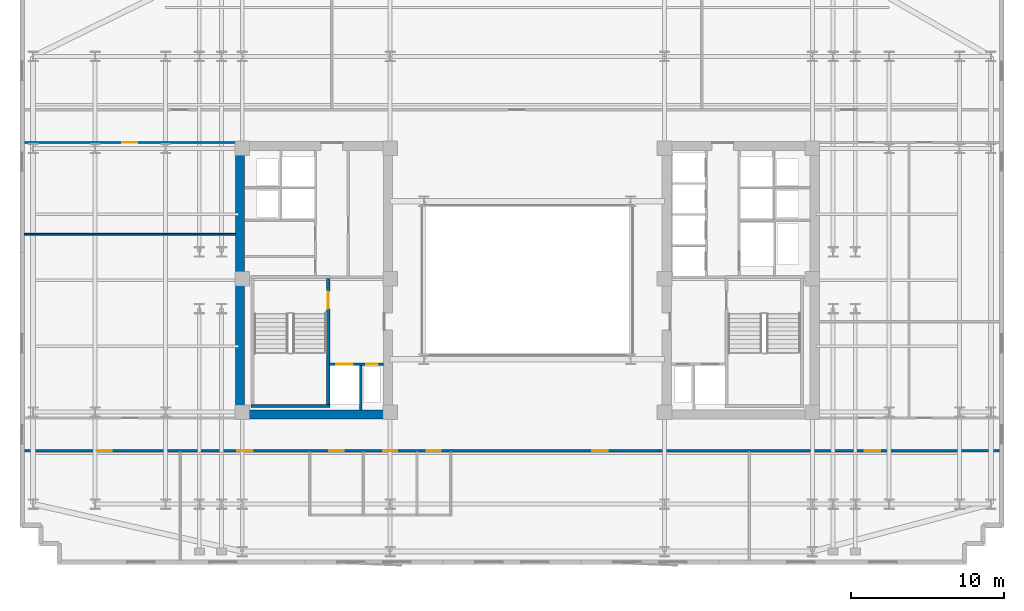
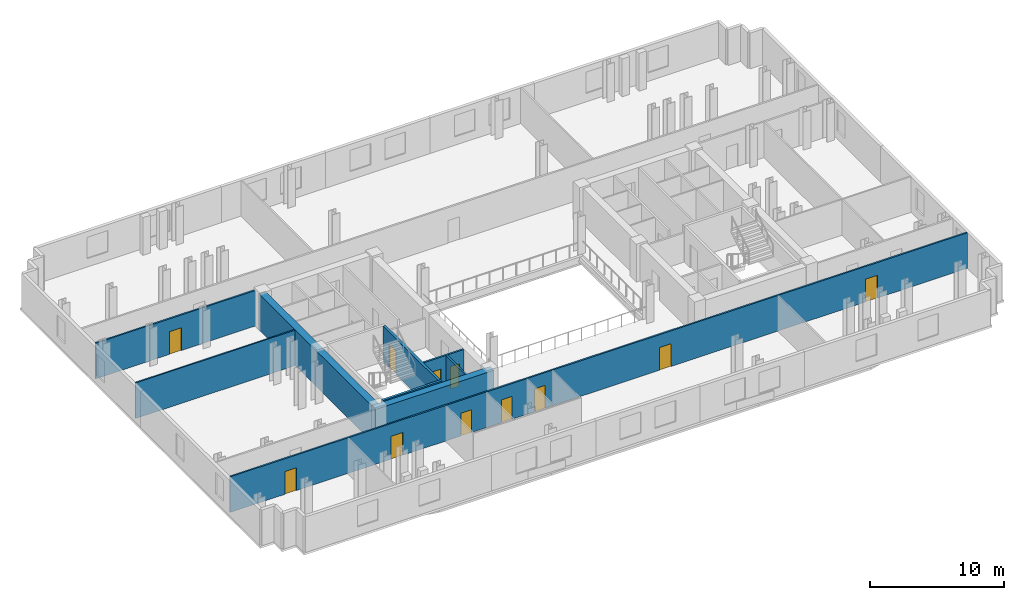
# One storey, part 4 of 10: 11 doors, 9 walls, 11 openings.
"""IFC4 building model written with IfcOpenShell, lengths in metres."""

from ifc_helpers import new_model, si_unit, direction, frame, frame_2d, origin, place, context, subcontext, project, spatial, rectangle, extrude, material, layer, layer_set, type_object, element, fill, save


model = new_model("IFC4")

# Units and contexts
model_context = context("Model", 3, precision=1e-05, world=origin(), true_north=direction((0.0, 1.0)))
body_context = subcontext(model_context, "Body", "Model", "MODEL_VIEW")
ifc_project = project(units=[si_unit("LENGTHUNIT", "METRE"), si_unit("AREAUNIT", "SQUARE_METRE"), si_unit("VOLUMEUNIT", "CUBIC_METRE"), si_unit("PLANEANGLEUNIT", "RADIAN"), si_unit("MASSUNIT", "GRAM", prefix="KILO")], contexts=[model_context])

# Site, building, storey
site_placement = place(None, origin())
site = spatial("IfcSite", under=ifc_project, at=site_placement, CompositionType="ELEMENT")
building_placement = place(site_placement, origin())
building = spatial("IfcBuilding", under=site, at=building_placement, Name="Velakula Bourse", CompositionType="ELEMENT")
storey_placement = place(building_placement, frame((0.0, 0.0, 127.75)))
storey = spatial("IfcBuildingStorey", under=building, at=storey_placement, Name="L34", CompositionType="ELEMENT", Elevation=127.75)

# Wall, opening, door
ifc_material_1 = material(Name="Concrete M50 (fck 50 MPa)", Category="concrete")
ifc_layer_1 = layer(ifc_material_1, 0.2099609375, Name="Concrete M50 (fck 50 MPa)", Category="concrete")
ifc_layer_set_1 = layer_set([ifc_layer_1], Name="Concrete M50 (fck 50 MPa)")
wall_type_1 = type_object("IfcWallType", Name="WL-CORE-210", PredefinedType="SHEAR", material=ifc_layer_set_1)
wall_1_placement = place(storey_placement, frame((-12.9951171875, -8.10009765625, 0.0), z_axis=(0.0, 0.0, 1.0), x_axis=(0.0, 1.0, 0.0)))
wall_1 = element("IfcWall", 1, at=wall_1_placement, inside=storey, type_object=wall_type_1, Name="L34 Core W Stairwell Shear Wall IN", PredefinedType="SHEAR", context=body_context, shape_type="SweptSolid", body=[
    extrude(rectangle(XDim=8.2001953125, YDim=0.2099609375, at=frame_2d((4.10009765625, 0.0))), origin(), (0.0, 0.0, 1.0), 3.27001953125),
])
opening_1_placement = place(wall_1_placement, frame((6.25, 0.0, 0.0)))
opening_1 = element("IfcOpeningElement", 2, at=opening_1_placement, cuts=wall_1, Name="Opening D-STW1", PredefinedType="OPENING", context=body_context, shape_type="SweptSolid", body=[
    extrude(rectangle(XDim=1.10009765625, YDim=2.14990234375, at=frame_2d((0.550048828125, 1.074951171875))), frame((0.0, 0.114990234375, 0.0), z_axis=(0.0, -1.0, 0.0), x_axis=(1.0, 0.0, 0.0)), (0.0, 0.0, 1.0), 0.22998046875),
])
ifc_material_2 = material(Name="Galvanised painted hollow steel fire door", Category="steel")
door_type_1 = type_object("IfcDoorType", Name="DR-FD120-1100x2150", OperationType="NOTDEFINED", PredefinedType="DOOR", material=ifc_material_2)
door_1_placement = place(opening_1_placement, origin())
door_1 = element("IfcDoor", 3, at=door_1_placement, inside=storey, type_object=door_type_1, Name="L34 Stair ST-W1 Fire Door", OperationType="SINGLE_SWING_LEFT", OverallHeight=2.14990234375, OverallWidth=1.10009765625, PredefinedType="DOOR", context=body_context, shape_type="SweptSolid", body=[
    extrude(rectangle(XDim=1.10009765625, YDim=2.14990234375, at=frame_2d((0.550048828125, 1.074951171875))), frame((0.0, 0.02490234375, 0.0), z_axis=(0.0, -1.0, 0.0), x_axis=(1.0, 0.0, 0.0)), (0.0, 0.0, 1.0), 0.050048828125),
])
fill(opening_1, door_1)

# Walls
wall_2_placement = place(storey_placement, frame((-18.030029296875, -8.205078125, 0.0), z_axis=(0.0, 0.0, 1.0), x_axis=(1.0, 0.0, 0.0)))
element("IfcWall", 4, at=wall_2_placement, inside=storey, type_object=wall_type_1, Name="L34 Core W Stairwell Shear Wall S", PredefinedType="SHEAR", context=body_context, shape_type="SweptSolid", body=[
    extrude(rectangle(XDim=5.14013671875, YDim=0.2099609375, at=frame_2d((2.570068359375, 0.0))), origin(), (0.0, 0.0, 1.0), 3.27001953125),
])
ifc_material_3 = material(Name="Concrete M70 (fck 70 MPa)", Category="concrete")
ifc_layer_2 = layer(ifc_material_3, 0.60009765625, Name="Concrete M70 (fck 70 MPa)", Category="concrete")
ifc_layer_set_2 = layer_set([ifc_layer_2], Name="Concrete M70 (fck 70 MPa)")
wall_type_2 = type_object("IfcWallType", Name="WL-CORE-600", PredefinedType="SHEAR", material=ifc_layer_set_2)
wall_3_placement = place(storey_placement, frame((-19.050048828125, -8.75, 0.0), z_axis=(0.0, 0.0, 1.0), x_axis=(1.0, 0.0, 0.0)))
element("IfcWall", 5, at=wall_3_placement, inside=storey, type_object=wall_type_2, Name="L34 Core W Shear Wall S", PredefinedType="SHEAR", context=body_context, shape_type="SweptSolid", body=[
    extrude(rectangle(XDim=10.25, YDim=0.60009765625, at=frame_2d((5.125, 0.0))), origin(), (0.0, 0.0, 1.0), 3.27001953125),
])
wall_4_placement = place(storey_placement, frame((-18.75, -8.449951171875, 0.0), z_axis=(0.0, 0.0, 1.0), x_axis=(0.0, 1.0, 0.0)))
element("IfcWall", 6, at=wall_4_placement, inside=storey, type_object=wall_type_2, Name="L34 Core W Shear Wall W", PredefinedType="SHEAR", context=body_context, shape_type="SweptSolid", body=[
    extrude(rectangle(XDim=16.89990234375, YDim=0.60009765625, at=frame_2d((8.449951171875, 0.0))), origin(), (0.0, 0.0, 1.0), 3.27001953125),
])
ifc_material_4 = material(Name="Fire-rated double-layer gypsum drywall partition", Category="gypsum")
ifc_layer_3 = layer(ifc_material_4, 0.1201171875, Name="Fire-rated double-layer gypsum drywall partition", Category="gypsum")
ifc_layer_set_3 = layer_set([ifc_layer_3], Name="Fire-rated double-layer gypsum drywall partition")
wall_type_3 = type_object("IfcWallType", Name="WL-PART-120", PredefinedType="STANDARD", material=ifc_layer_set_3)
wall_5_placement = place(storey_placement, frame((-32.820068359375, 3.0, 0.0), z_axis=(0.0, 0.0, 1.0), x_axis=(1.0, 0.0, 0.0)))
element("IfcWall", 7, at=wall_5_placement, inside=storey, type_object=wall_type_3, Name="L34 Interior Partition WL-INT-L34-W-H", PredefinedType="STANDARD", context=body_context, shape_type="SweptSolid", body=[
    extrude(rectangle(XDim=13.77001953125, YDim=0.1201171875, at=frame_2d((6.885009765625, 0.0))), origin(), (0.0, 0.0, 1.0), 3.25),
])

# Wall, openings, doors
ifc_layer_4 = layer(ifc_material_4, 0.139892578125, Name="Fire-rated double-layer gypsum drywall partition", Category="gypsum")
ifc_layer_set_4 = layer_set([ifc_layer_4], Name="Fire-rated double-layer gypsum drywall partition")
wall_type_4 = type_object("IfcWallType", Name="WL-PART-140", PredefinedType="STANDARD", material=ifc_layer_set_4)
wall_6_placement = place(storey_placement, frame((-32.820068359375, -11.1201171875, 0.0), z_axis=(0.0, 0.0, 1.0), x_axis=(1.0, 0.0, 0.0)))
wall_6 = element("IfcWall", 8, at=wall_6_placement, inside=storey, type_object=wall_type_4, Name="L34 Interior Partition WL-INT-L34-S-CORR", PredefinedType="STANDARD", context=body_context, shape_type="SweptSolid", body=[
    extrude(rectangle(XDim=63.64013671875, YDim=0.139892578125, at=frame_2d((31.820068359375, 0.0))), origin(), (0.0, 0.0, 1.0), 3.25),
])
opening_2_placement = place(wall_6_placement, frame((19.909912109375, 0.0, 0.0)))
opening_2 = element("IfcOpeningElement", 9, at=opening_2_placement, cuts=wall_6, Name="Opening D-WT1", PredefinedType="OPENING", context=body_context, shape_type="SweptSolid", body=[
    extrude(rectangle(XDim=0.919921875, YDim=2.080078125, at=frame_2d((0.4599609375, 1.0400390625))), frame((0.0, 0.079833984375, 0.0), z_axis=(0.0, -1.0, 0.0), x_axis=(1.0, 0.0, 0.0)), (0.0, 0.0, 1.0), 0.159912109375),
])
opening_3_placement = place(wall_6_placement, frame((23.409912109375, 0.0, 0.0)))
opening_3 = element("IfcOpeningElement", 10, at=opening_3_placement, cuts=wall_6, Name="Opening D-WT1", PredefinedType="OPENING", context=body_context, shape_type="SweptSolid", body=[
    extrude(rectangle(XDim=0.919921875, YDim=2.080078125, at=frame_2d((0.4599609375, 1.0400390625))), frame((0.0, 0.079833984375, 0.0), z_axis=(0.0, -1.0, 0.0), x_axis=(1.0, 0.0, 0.0)), (0.0, 0.0, 1.0), 0.159912109375),
])
opening_4_placement = place(wall_6_placement, frame((26.260009765625, 0.0, 0.0)))
opening_4 = element("IfcOpeningElement", 11, at=opening_4_placement, cuts=wall_6, Name="Opening D-WC1", PredefinedType="OPENING", context=body_context, shape_type="SweptSolid", body=[
    extrude(rectangle(XDim=0.919921875, YDim=2.080078125, at=frame_2d((0.4599609375, 1.0400390625))), frame((0.0, 0.079833984375, 0.0), z_axis=(0.0, -1.0, 0.0), x_axis=(1.0, 0.0, 0.0)), (0.0, 0.0, 1.0), 0.159912109375),
])
opening_5_placement = place(wall_6_placement, frame((4.71337890625, 0.0, 0.0)))
opening_5 = element("IfcOpeningElement", 12, at=opening_5_placement, cuts=wall_6, Name="Opening D-OF1", PredefinedType="OPENING", context=body_context, shape_type="SweptSolid", body=[
    extrude(rectangle(XDim=1.0, YDim=2.080078125, at=frame_2d((0.5, 1.0400390625))), frame((0.0, 0.079833984375, 0.0), z_axis=(0.0, -1.0, 0.0), x_axis=(1.0, 0.0, 0.0)), (0.0, 0.0, 1.0), 0.159912109375),
])
opening_6_placement = place(wall_6_placement, frame((13.8974609375, 0.0, 0.0)))
opening_6 = element("IfcOpeningElement", 13, at=opening_6_placement, cuts=wall_6, Name="Opening D-OF1", PredefinedType="OPENING", context=body_context, shape_type="SweptSolid", body=[
    extrude(rectangle(XDim=1.0, YDim=2.080078125, at=frame_2d((0.5, 1.0400390625))), frame((0.0, 0.079833984375, 0.0), z_axis=(0.0, -1.0, 0.0), x_axis=(1.0, 0.0, 0.0)), (0.0, 0.0, 1.0), 0.159912109375),
])
opening_7_placement = place(wall_6_placement, frame((37.064453125, 0.0, 0.0)))
opening_7 = element("IfcOpeningElement", 14, at=opening_7_placement, cuts=wall_6, Name="Opening D-OF1", PredefinedType="OPENING", context=body_context, shape_type="SweptSolid", body=[
    extrude(rectangle(XDim=1.0, YDim=2.080078125, at=frame_2d((0.5, 1.0400390625))), frame((0.0, 0.079833984375, 0.0), z_axis=(0.0, -1.0, 0.0), x_axis=(1.0, 0.0, 0.0)), (0.0, 0.0, 1.0), 0.159912109375),
])
opening_8_placement = place(wall_6_placement, frame((54.848388671875, 0.0, 0.0)))
opening_8 = element("IfcOpeningElement", 15, at=opening_8_placement, cuts=wall_6, Name="Opening D-OF1", PredefinedType="OPENING", context=body_context, shape_type="SweptSolid", body=[
    extrude(rectangle(XDim=1.0, YDim=2.080078125, at=frame_2d((0.5, 1.0400390625))), frame((0.0, 0.079833984375, 0.0), z_axis=(0.0, -1.0, 0.0), x_axis=(1.0, 0.0, 0.0)), (0.0, 0.0, 1.0), 0.159912109375),
])
ifc_material_5 = material(Name="Fire-rated hardwood flush architectural door", Category="wood")
door_type_2 = type_object("IfcDoorType", Name="DR-OFF-1000", OperationType="NOTDEFINED", PredefinedType="DOOR", material=ifc_material_5)
door_2_placement = place(opening_5_placement, origin())
door_2 = element("IfcDoor", 16, at=door_2_placement, inside=storey, type_object=door_type_2, Name="L34 Quiet Financial Library Door", OperationType="SINGLE_SWING_LEFT", OverallHeight=2.080078125, OverallWidth=1.0, PredefinedType="DOOR", context=body_context, shape_type="SweptSolid", body=[
    extrude(rectangle(XDim=1.0, YDim=2.080078125, at=frame_2d((0.5, 1.0400390625))), frame((0.0, 0.02490234375, 0.0), z_axis=(0.0, -1.0, 0.0), x_axis=(1.0, 0.0, 0.0)), (0.0, 0.0, 1.0), 0.050048828125),
])
fill(opening_5, door_2)
door_3_placement = place(opening_6_placement, origin())
door_3 = element("IfcDoor", 17, at=door_3_placement, inside=storey, type_object=door_type_2, Name="L34 Margin Control Office Door", OperationType="SINGLE_SWING_RIGHT", OverallHeight=2.080078125, OverallWidth=1.0, PredefinedType="DOOR", context=body_context, shape_type="SweptSolid", body=[
    extrude(rectangle(XDim=1.0, YDim=2.080078125, at=frame_2d((0.5, 1.0400390625))), frame((0.0, 0.02490234375, 0.0), z_axis=(0.0, -1.0, 0.0), x_axis=(1.0, 0.0, 0.0)), (0.0, 0.0, 1.0), 0.050048828125),
])
fill(opening_6, door_3)
door_4_placement = place(opening_7_placement, origin())
door_4 = element("IfcDoor", 18, at=door_4_placement, inside=storey, type_object=door_type_2, Name="L34 Peer Review Boardroom Door", OperationType="SINGLE_SWING_LEFT", OverallHeight=2.080078125, OverallWidth=1.0, PredefinedType="DOOR", context=body_context, shape_type="SweptSolid", body=[
    extrude(rectangle(XDim=1.0, YDim=2.080078125, at=frame_2d((0.5, 1.0400390625))), frame((0.0, 0.02490234375, 0.0), z_axis=(0.0, -1.0, 0.0), x_axis=(1.0, 0.0, 0.0)), (0.0, 0.0, 1.0), 0.050048828125),
])
fill(opening_7, door_4)
door_5_placement = place(opening_8_placement, origin())
door_5 = element("IfcDoor", 19, at=door_5_placement, inside=storey, type_object=door_type_2, Name="L34 Catering Servery Pantry Door", OperationType="SINGLE_SWING_RIGHT", OverallHeight=2.080078125, OverallWidth=1.0, PredefinedType="DOOR", context=body_context, shape_type="SweptSolid", body=[
    extrude(rectangle(XDim=1.0, YDim=2.080078125, at=frame_2d((0.5, 1.0400390625))), frame((0.0, 0.02490234375, 0.0), z_axis=(0.0, -1.0, 0.0), x_axis=(1.0, 0.0, 0.0)), (0.0, 0.0, 1.0), 0.050048828125),
])
fill(opening_8, door_5)
door_type_3 = type_object("IfcDoorType", Name="DR-WC-950", OperationType="NOTDEFINED", PredefinedType="DOOR", material=ifc_material_5)
door_6_placement = place(opening_2_placement, origin())
door_6 = element("IfcDoor", 20, at=door_6_placement, inside=storey, type_object=door_type_3, Name="L34 Male Staff Toilet Door", OperationType="SINGLE_SWING_RIGHT", OverallHeight=2.080078125, OverallWidth=0.919921875, PredefinedType="DOOR", context=body_context, shape_type="SweptSolid", body=[
    extrude(rectangle(XDim=0.919921875, YDim=2.080078125, at=frame_2d((0.4599609375, 1.0400390625))), frame((0.0, 0.02490234375, 0.0), z_axis=(0.0, -1.0, 0.0), x_axis=(1.0, 0.0, 0.0)), (0.0, 0.0, 1.0), 0.050048828125),
])
fill(opening_2, door_6)
door_7_placement = place(opening_3_placement, origin())
door_7 = element("IfcDoor", 21, at=door_7_placement, inside=storey, type_object=door_type_3, Name="L34 Female Staff Toilet Door", OperationType="SINGLE_SWING_LEFT", OverallHeight=2.080078125, OverallWidth=0.919921875, PredefinedType="DOOR", context=body_context, shape_type="SweptSolid", body=[
    extrude(rectangle(XDim=0.919921875, YDim=2.080078125, at=frame_2d((0.4599609375, 1.0400390625))), frame((0.0, 0.02490234375, 0.0), z_axis=(0.0, -1.0, 0.0), x_axis=(1.0, 0.0, 0.0)), (0.0, 0.0, 1.0), 0.050048828125),
])
fill(opening_3, door_7)
door_8_placement = place(opening_4_placement, origin())
door_8 = element("IfcDoor", 22, at=door_8_placement, inside=storey, type_object=door_type_3, Name="L34 Accessible WC Door", OperationType="SINGLE_SWING_RIGHT", OverallHeight=2.080078125, OverallWidth=0.919921875, PredefinedType="DOOR", context=body_context, shape_type="SweptSolid", body=[
    extrude(rectangle(XDim=0.919921875, YDim=2.080078125, at=frame_2d((0.4599609375, 1.0400390625))), frame((0.0, 0.02490234375, 0.0), z_axis=(0.0, -1.0, 0.0), x_axis=(1.0, 0.0, 0.0)), (0.0, 0.0, 1.0), 0.050048828125),
])
fill(opening_4, door_8)

# Wall, opening, door
wall_7_placement = place(storey_placement, frame((-32.820068359375, 8.97998046875, 0.0), z_axis=(0.0, 0.0, 1.0), x_axis=(1.0, 0.0, 0.0)))
wall_7 = element("IfcWall", 23, at=wall_7_placement, inside=storey, type_object=wall_type_4, Name="L34 Interior Partition WL-INT-L34-W-NC", PredefinedType="STANDARD", context=body_context, shape_type="SweptSolid", body=[
    extrude(rectangle(XDim=13.77001953125, YDim=0.139892578125, at=frame_2d((6.885009765625, 0.0))), origin(), (0.0, 0.0, 1.0), 3.25),
])
opening_9_placement = place(wall_7_placement, frame((6.385009765625, 0.0, 0.0)))
opening_9 = element("IfcOpeningElement", 24, at=opening_9_placement, cuts=wall_7, Name="Opening D-OF1", PredefinedType="OPENING", context=body_context, shape_type="SweptSolid", body=[
    extrude(rectangle(XDim=1.0, YDim=2.080078125, at=frame_2d((0.5, 1.0400390625))), frame((0.0, 0.079833984375, 0.0), z_axis=(0.0, -1.0, 0.0), x_axis=(1.0, 0.0, 0.0)), (0.0, 0.0, 1.0), 0.159912109375),
])
door_9_placement = place(opening_9_placement, origin())
door_9 = element("IfcDoor", 25, at=door_9_placement, inside=storey, type_object=door_type_2, Name="L34 Legal Counsel Office Door", OperationType="SINGLE_SWING_LEFT", OverallHeight=2.080078125, OverallWidth=1.0, PredefinedType="DOOR", context=body_context, shape_type="SweptSolid", body=[
    extrude(rectangle(XDim=1.0, YDim=2.080078125, at=frame_2d((0.5, 1.0400390625))), frame((0.0, 0.02490234375, 0.0), z_axis=(0.0, -1.0, 0.0), x_axis=(1.0, 0.0, 0.0)), (0.0, 0.0, 1.0), 0.050048828125),
])
fill(opening_9, door_9)

# Wall, openings, doors
ifc_material_6 = material(Name="Autoclaved aerated concrete blockwork masonry", Category="masonry")
ifc_layer_5 = layer(ifc_material_6, 0.14990234375, Name="Autoclaved aerated concrete blockwork masonry", Category="masonry")
ifc_layer_set_5 = layer_set([ifc_layer_5], Name="Autoclaved aerated concrete blockwork masonry")
wall_type_5 = type_object("IfcWallType", Name="WL-SHAFT-150", PredefinedType="STANDARD", material=ifc_layer_set_5)
wall_8_placement = place(storey_placement, frame((-12.89501953125, -5.47509765625, 0.0), z_axis=(0.0, 0.0, 1.0), x_axis=(1.0, 0.0, 0.0)))
wall_8 = element("IfcWall", 26, at=wall_8_placement, inside=storey, type_object=wall_type_5, Name="L34 Interior Partition WL-CRW-L34-FFL-N", PredefinedType="STANDARD", context=body_context, shape_type="SweptSolid", body=[
    extrude(rectangle(XDim=3.4951171875, YDim=0.14990234375, at=frame_2d((1.74755859375, 0.0))), origin(), (0.0, 0.0, 1.0), 3.25),
])
opening_10_placement = place(wall_8_placement, frame((0.419921875, 0.0, 0.0)))
opening_10 = element("IfcOpeningElement", 27, at=opening_10_placement, cuts=wall_8, Name="Opening LD-FFL-1", PredefinedType="OPENING", context=body_context, shape_type="SweptSolid", body=[
    extrude(rectangle(XDim=1.10009765625, YDim=2.14990234375, at=frame_2d((0.550048828125, 1.074951171875))), frame((0.0, 0.0849609375, 0.0), z_axis=(0.0, -1.0, 0.0), x_axis=(1.0, 0.0, 0.0)), (0.0, 0.0, 1.0), 0.169921875),
])
opening_11_placement = place(wall_8_placement, frame((2.3701171875, 0.0, 0.0)))
opening_11 = element("IfcOpeningElement", 28, at=opening_11_placement, cuts=wall_8, Name="Opening D-RS1", PredefinedType="OPENING", context=body_context, shape_type="SweptSolid", body=[
    extrude(rectangle(XDim=0.75, YDim=2.050048828125, at=frame_2d((0.375, 1.02490234375))), frame((0.0, 0.0849609375, 0.0), z_axis=(0.0, -1.0, 0.0), x_axis=(1.0, 0.0, 0.0)), (0.0, 0.0, 1.0), 0.169921875),
])
door_type_4 = type_object("IfcDoorType", Name="DR-RISER-800", OperationType="NOTDEFINED", PredefinedType="DOOR", material=ifc_material_2)
door_10_placement = place(opening_11_placement, origin())
door_10 = element("IfcDoor", 29, at=door_10_placement, inside=storey, type_object=door_type_4, Name="L34 Fire Riser Access Door", OperationType="SINGLE_SWING_LEFT", OverallHeight=2.050048828125, OverallWidth=0.75, PredefinedType="DOOR", context=body_context, shape_type="SweptSolid", body=[
    extrude(rectangle(XDim=0.75, YDim=2.050048828125, at=frame_2d((0.375, 1.02490234375))), frame((0.0, 0.02490234375, 0.0), z_axis=(0.0, -1.0, 0.0), x_axis=(1.0, 0.0, 0.0)), (0.0, 0.0, 1.0), 0.050048828125),
])
fill(opening_11, door_10)
ifc_material_7 = material(Name="Brushed grade 316 stainless steel", Category="steel")
door_type_5 = type_object("IfcDoorType", Name="DR-SLIDE-FFL-1100", OperationType="DOUBLE_DOOR_SLIDING", PredefinedType="DOOR", material=ifc_material_7)
door_11_placement = place(opening_10_placement, origin())
door_11 = element("IfcDoor", 30, at=door_11_placement, inside=storey, type_object=door_type_5, Name="L34 Firefighting Lift FFL-1 Sliding Landing Door", OperationType="DOUBLE_DOOR_SLIDING", OverallHeight=2.14990234375, OverallWidth=1.10009765625, PredefinedType="DOOR", context=body_context, shape_type="SweptSolid", body=[
    extrude(rectangle(XDim=1.10009765625, YDim=2.14990234375, at=frame_2d((0.550048828125, 1.074951171875))), frame((0.0, 0.02490234375, 0.0), z_axis=(0.0, -1.0, 0.0), x_axis=(1.0, 0.0, 0.0)), (0.0, 0.0, 1.0), 0.050048828125),
])
fill(opening_10, door_11)

# Wall
wall_9_placement = place(storey_placement, frame((-10.875, -8.449951171875, 0.0), z_axis=(0.0, 0.0, 1.0), x_axis=(0.0, 1.0, 0.0)))
element("IfcWall", 31, at=wall_9_placement, inside=storey, type_object=wall_type_5, Name="L34 Interior Partition WL-CRW-L34-FR-DIV", PredefinedType="STANDARD", context=body_context, shape_type="SweptSolid", body=[
    extrude(rectangle(XDim=2.89990234375, YDim=0.14990234375, at=frame_2d((1.449951171875, 0.0))), origin(), (0.0, 0.0, 1.0), 3.25),
])

save(model, "model.ifc")
